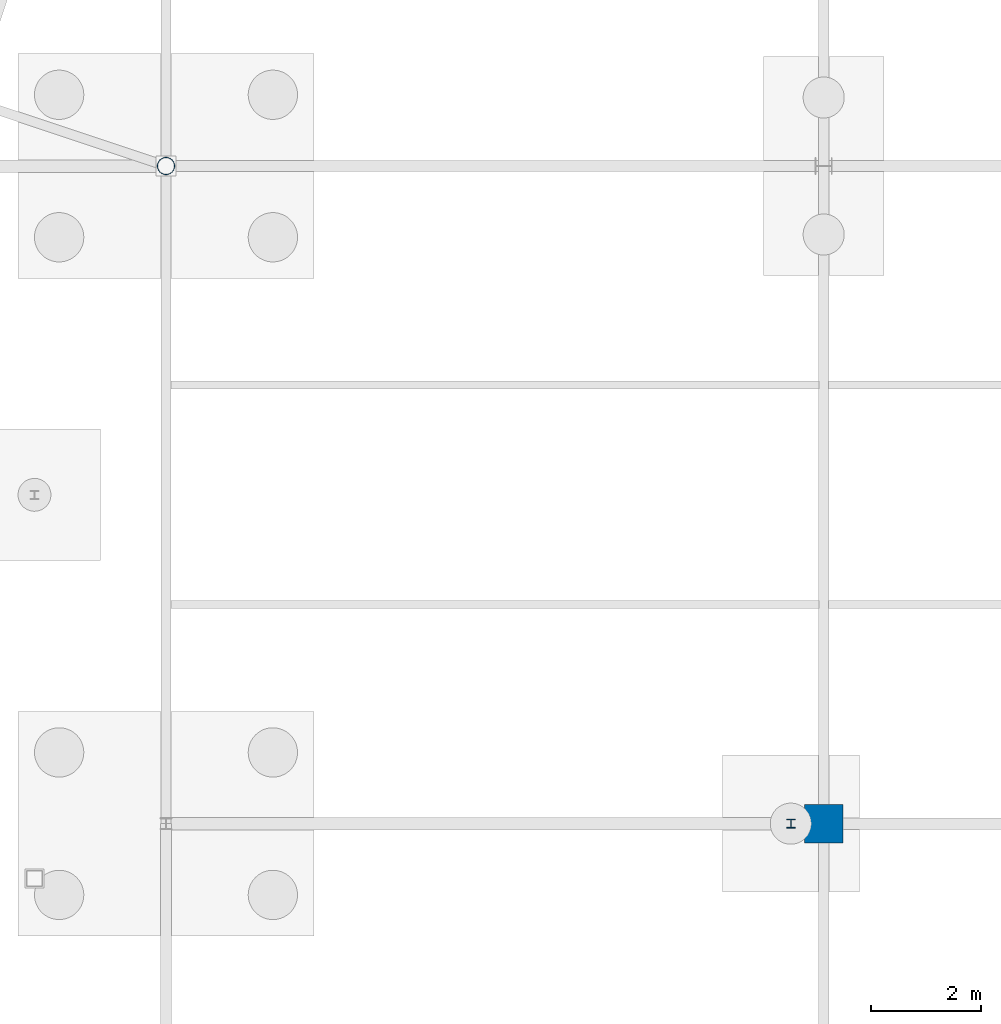
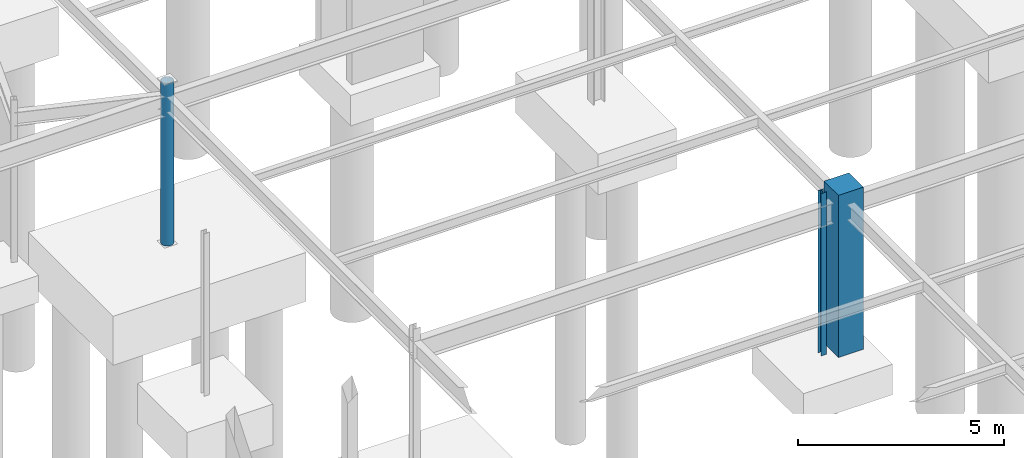
# One storey, part 59 of 136: 3 columns.
"""IFC4 building model written with IfcOpenShell, lengths in metres."""

import ifcopenshell
import ifcopenshell.guid

model = None  # the IFC model being written
_history = None  # IfcOwnerHistory: only IFC2X3 demands one
_inside = {}  # id of a spatial element -> (the spatial element, [elements in it])
_under = {}  # id of a project, library or spatial element -> (it, [spatial elements below it])
_declared = {}  # id of a project -> (the project, [libraries it declares])
_typed = {}  # id of a type object -> (the type object, [elements of that type])
_made_of = {}  # id of a material, layer set ... -> (it, [elements and type objects made of it])


def new_model(schema):
    """Start an empty IFC model of exactly this schema.

    Asked for "IFC4X3", IfcOpenShell would pick the latest addendum, in which some entities
    have other attributes; the version numbers below select the first issue.
    IFC2X3 requires an IfcOwnerHistory on every rooted entity: one is made here for all.
    """
    global model, _history
    if schema == "IFC4X3":
        model = ifcopenshell.file(schema_version=(4, 3, 0, 0))
    else:
        model = ifcopenshell.file(schema=schema)
    _inside.clear()
    _under.clear()
    _declared.clear()
    _typed.clear()
    _made_of.clear()
    _history = None
    if model.schema == "IFC2X3":
        org = make("IfcOrganization", Name="unknown")
        user = make(
            "IfcPersonAndOrganization",
            ThePerson=make("IfcPerson", FamilyName="unknown"),
            TheOrganization=org,
        )
        app = make(
            "IfcApplication",
            ApplicationDeveloper=org,
            Version="unknown",
            ApplicationFullName="unknown",
            ApplicationIdentifier="unknown",
        )
        _history = make(
            "IfcOwnerHistory",
            OwningUser=user,
            OwningApplication=app,
            ChangeAction="ADDED",
            CreationDate=0,
        )
    return model


def make(cls, **values):
    """One entity of the class cls with the attributes given. An attribute that is None is left unset."""
    return model.create_entity(
        cls, **{name: value for name, value in values.items() if value is not None}
    )


def rooted(cls, **values):
    """An entity with a GlobalId (a new one), such as an element, a storey or a relation."""
    return make(cls, GlobalId=ifcopenshell.guid.new(), OwnerHistory=_history, **values)


def si_unit(unit_type, name, prefix=None):
    """IfcSIUnit, for example si_unit("LENGTHUNIT", "METRE", prefix="MILLI")."""
    return make("IfcSIUnit", UnitType=unit_type, Prefix=prefix, Name=name)


def assignment(units):
    """IfcUnitAssignment: the units of a project."""
    return None if units is None else make("IfcUnitAssignment", Units=units)


def point(xyz):
    """IfcCartesianPoint."""
    return None if xyz is None else make("IfcCartesianPoint", Coordinates=xyz)


def direction(xyz):
    """IfcDirection."""
    return None if xyz is None else make("IfcDirection", DirectionRatios=xyz)


def frame(location, z_axis=None, x_axis=None):
    """IfcAxis2Placement3D, a coordinate frame: its origin and axes. An axis left out is left unset."""
    return make(
        "IfcAxis2Placement3D",
        Location=point(location),
        Axis=direction(z_axis),
        RefDirection=direction(x_axis),
    )


def frame_2d(location, x_axis=None):
    """IfcAxis2Placement2D, a coordinate frame in the plane: its origin and x axis."""
    return make(
        "IfcAxis2Placement2D", Location=point(location), RefDirection=direction(x_axis)
    )


def origin():
    """The frame at (0, 0, 0) with its axes left unset."""
    return frame((0.0, 0.0, 0.0))


def origin_2d():
    """The frame at (0, 0) in the plane with its x axis left unset."""
    return frame_2d((0.0, 0.0))


def place(relative_to, where):
    """IfcLocalPlacement: puts the frame where relative to a parent placement (None: the world)."""
    return make(
        "IfcLocalPlacement", PlacementRelTo=relative_to, RelativePlacement=where
    )


def context(
    kind, dimensions, precision=None, world=None, true_north=None, identifier=None
):
    """IfcGeometricRepresentationContext, for example the 3D "Model" context."""
    return make(
        "IfcGeometricRepresentationContext",
        ContextIdentifier=identifier,
        ContextType=kind,
        CoordinateSpaceDimension=dimensions,
        Precision=precision,
        WorldCoordinateSystem=world,
        TrueNorth=true_north,
    )


def subcontext(parent, identifier, kind, view, scale=None):
    """IfcGeometricRepresentationSubContext, for example "Body" below "Model"."""
    return make(
        "IfcGeometricRepresentationSubContext",
        ContextIdentifier=identifier,
        ContextType=kind,
        ParentContext=parent,
        TargetScale=scale,
        TargetView=view,
    )


def project(units=None, contexts=None):
    """IfcProject with its units and contexts."""
    return rooted(
        "IfcProject",
        Name="project",
        RepresentationContexts=contexts,
        UnitsInContext=assignment(units),
    )


def spatial(cls, under=None, at=None, **own):
    """A site, building, storey or space (cls), placed at a placement, below another one or the project."""
    s = rooted(cls, ObjectPlacement=at, **own)
    if under is not None:
        _under.setdefault(under.id(), (under, []))[1].append(s)
    return s


def profile(cls, at=None, kind="AREA", **sizes):
    """A parametric profile (cls). Its sizes go by their IFC names, for example OverallWidth=200.0."""
    return make(cls, ProfileType=kind, Position=at, **sizes)


def rectangle(**sizes):
    """IfcRectangleProfileDef."""
    return profile("IfcRectangleProfileDef", **sizes)


def hollow_circle(**sizes):
    """IfcCircleHollowProfileDef."""
    return profile("IfcCircleHollowProfileDef", **sizes)


def i_section(**sizes):
    """IfcIShapeProfileDef."""
    return profile("IfcIShapeProfileDef", **sizes)


def extrude(swept, where, along, depth):
    """IfcExtrudedAreaSolid: the profile swept, set in the frame where, extruded along a direction by depth."""
    return make(
        "IfcExtrudedAreaSolid",
        SweptArea=swept,
        Position=where,
        ExtrudedDirection=direction(along),
        Depth=depth,
    )


def shape(context_of_items, identifier, shape_type, items):
    """IfcShapeRepresentation: the items that make up one representation, for example the "Body"."""
    return make(
        "IfcShapeRepresentation",
        ContextOfItems=context_of_items,
        RepresentationIdentifier=identifier,
        RepresentationType=shape_type,
        Items=items,
    )


def material(Name=None, Category=None):
    """IfcMaterial."""
    return make("IfcMaterial", Name=Name, Category=Category)


def material_profile(
    of_material, cross_section, Name=None, Category=None, Priority=None
):
    """IfcMaterialProfile: a cross section and its material."""
    return make(
        "IfcMaterialProfile",
        Name=Name,
        Material=of_material,
        Profile=cross_section,
        Priority=Priority,
        Category=Category,
    )


def profile_set(profiles, Name=None, composite=None):
    """IfcMaterialProfileSet."""
    return make(
        "IfcMaterialProfileSet",
        Name=Name,
        MaterialProfiles=profiles,
        CompositeProfile=composite,
    )


def made_of(thing, what):
    """Note that an element or type object is made of a material, layer set ...; save() writes the relation."""
    if what is not None:
        _made_of.setdefault(what.id(), (what, []))[1].append(thing)
    return thing


def type_object(cls, material=None, **own):
    """A type object (cls), such as IfcWallType, which elements share."""
    return made_of(rooted(cls, **own), material)


def element(
    cls,
    number,
    at=None,
    inside=None,
    cuts=None,
    type_object=None,
    material=None,
    context=None,
    identifier="Body",
    shape_type=None,
    held_by="IfcProductDefinitionShape",
    body=None,
    shapes=None,
    **own,
):
    """One element of the class cls, such as IfcWall. Its Tag is "e" and its number.

    at: its placement. inside: the storey or other place that contains it. cuts: it is an
    opening in that element (IfcRelVoidsElement). A single representation is given by context,
    identifier, shape_type and body (its items); several are given by shapes. held_by: the class
    of the entity that holds the representations. save() writes the other relations.
    """
    e = rooted(cls, Tag="e%d" % number, ObjectPlacement=at, **own)
    if body is not None:
        shapes = [shape(context, identifier, shape_type, body)]
    if shapes is not None:
        e.Representation = make(held_by, Representations=shapes)
    if inside is not None:
        _inside.setdefault(inside.id(), (inside, []))[1].append(e)
    if cuts is not None:
        rooted(
            "IfcRelVoidsElement", RelatingBuildingElement=cuts, RelatedOpeningElement=e
        )
    if type_object is not None:
        _typed.setdefault(type_object.id(), (type_object, []))[1].append(e)
    return made_of(e, material)


def aggregate(whole, parts):
    """IfcRelAggregates: a whole, such as a stair, and the parts it consists of."""
    return rooted("IfcRelAggregates", RelatingObject=whole, RelatedObjects=parts)


def save(model, path):
    """Write the relations noted so far, then the file.

    IfcRelAggregates (storeys below a building ...), IfcRelContainedInSpatialStructure (elements
    in a storey), IfcRelDefinesByType, IfcRelAssociatesMaterial and IfcRelDeclares: one each for
    every whole, place, type object, material and project.
    """
    for whole, parts in _under.values():
        aggregate(whole, parts)
    for where, things in _inside.values():
        rooted(
            "IfcRelContainedInSpatialStructure",
            RelatedElements=things,
            RelatingStructure=where,
        )
    for kind, things in _typed.values():
        rooted("IfcRelDefinesByType", RelatedObjects=things, RelatingType=kind)
    for what, things in _made_of.values():
        rooted("IfcRelAssociatesMaterial", RelatedObjects=things, RelatingMaterial=what)
    for by, libraries in _declared.values():
        rooted("IfcRelDeclares", RelatingContext=by, RelatedDefinitions=libraries)
    model.write(path)


model = new_model("IFC4")

# Units and contexts
model_context = context("Model", 3, precision=1e-05, world=origin(), true_north=direction((0.0, 1.0)))
body_context = subcontext(model_context, "Body", "Model", "MODEL_VIEW")
ifc_project = project(units=[si_unit("LENGTHUNIT", "METRE"), si_unit("AREAUNIT", "SQUARE_METRE"), si_unit("VOLUMEUNIT", "CUBIC_METRE"), si_unit("PLANEANGLEUNIT", "RADIAN"), si_unit("MASSUNIT", "GRAM", prefix="KILO")], contexts=[model_context])

# Site, building, storey
site_placement = place(None, origin())
site = spatial("IfcSite", under=ifc_project, at=site_placement, CompositionType="ELEMENT")
building_placement = place(site_placement, origin())
building = spatial("IfcBuilding", under=site, at=building_placement, Name="Tarnwether General Hospital", CompositionType="ELEMENT")
storey_placement = place(building_placement, frame((0.0, 0.0, -4.800048828125)))
storey = spatial("IfcBuildingStorey", under=building, at=storey_placement, Name="LG", CompositionType="ELEMENT", Elevation=-4.800048828125)

# Columns
ifc_material_1 = material(Name="Concrete 50 MPa", Category="concrete")
ifc_material_profile_1 = material_profile(ifc_material_1, rectangle(XDim=0.699951171875, YDim=0.699951171875, at=origin_2d()), Name="RC-COL-700x700")
ifc_profile_set_1 = profile_set([ifc_material_profile_1], Name="Concrete 50 MPa")
column_type_1 = type_object("IfcColumnType", Name="COL-18", PredefinedType="COLUMN", material=ifc_profile_set_1)
column_1_placement = place(storey_placement, frame((156.0, 69.60009765625, 0.0), z_axis=(0.0, 0.0, 1.0), x_axis=(1.0, 0.0, 0.0)))
element("IfcColumn", 1, at=column_1_placement, inside=storey, type_object=column_type_1, Name="Column COLG-LG-15600_6960", PredefinedType="COLUMN", context=body_context, shape_type="SweptSolid", body=[
    extrude(rectangle(XDim=0.699951171875, YDim=0.699951171875, at=origin_2d()), origin(), (0.0, 0.0, 1.0), 4.800048828125),
])
ifc_material_2 = material(Name="Steel Grade C350L0 (350 MPa)", Category="steel")
ifc_material_profile_2 = material_profile(ifc_material_2, hollow_circle(Radius=0.161865234375, WallThickness=0.0126953125, at=origin_2d()), Name="CHS323.9x12.7")
ifc_profile_set_2 = profile_set([ifc_material_profile_2], Name="Steel Grade C350L0 (350 MPa)")
column_type_2 = type_object("IfcColumnType", Name="COL-26", PredefinedType="COLUMN", material=ifc_profile_set_2)
column_2_placement = place(storey_placement, frame((144.0, 81.60009765625, 0.0), z_axis=(0.0, 0.0, 1.0), x_axis=(1.0, 0.0, 0.0)))
element("IfcColumn", 2, at=column_2_placement, inside=storey, type_object=column_type_2, Name="Column COLG-LG-14400_8160", PredefinedType="COLUMN", context=body_context, shape_type="SweptSolid", body=[
    extrude(hollow_circle(Radius=0.161865234375, WallThickness=0.0126953125, at=origin_2d()), origin(), (0.0, 0.0, 1.0), 4.800048828125),
])
ifc_material_3 = material(Name="Steel Grade 350 (350 MPa)", Category="steel")
ifc_material_profile_3 = material_profile(ifc_material_3, i_section(OverallWidth=0.154052734375, OverallDepth=0.162109375, WebThickness=0.008056640625, FlangeThickness=0.011474609375, at=origin_2d()), Name="150UC37.2")
ifc_profile_set_3 = profile_set([ifc_material_profile_3], Name="Steel Grade 350 (350 MPa)")
column_type_3 = type_object("IfcColumnType", Name="COL-28", PredefinedType="COLUMN", material=ifc_profile_set_3)
column_3_placement = place(storey_placement, frame((155.39990234375, 69.60009765625, 0.0), z_axis=(0.0, 0.0, 1.0), x_axis=(1.0, 0.0, 0.0)))
element("IfcColumn", 3, at=column_3_placement, inside=storey, type_object=column_type_3, Name="Column COLG-LG-15540_6960", PredefinedType="COLUMN", context=body_context, shape_type="SweptSolid", body=[
    extrude(i_section(OverallWidth=0.154052734375, OverallDepth=0.162109375, WebThickness=0.008056640625, FlangeThickness=0.011474609375, at=origin_2d()), origin(), (0.0, 0.0, 1.0), 4.800048828125),
])

save(model, "model.ifc")
